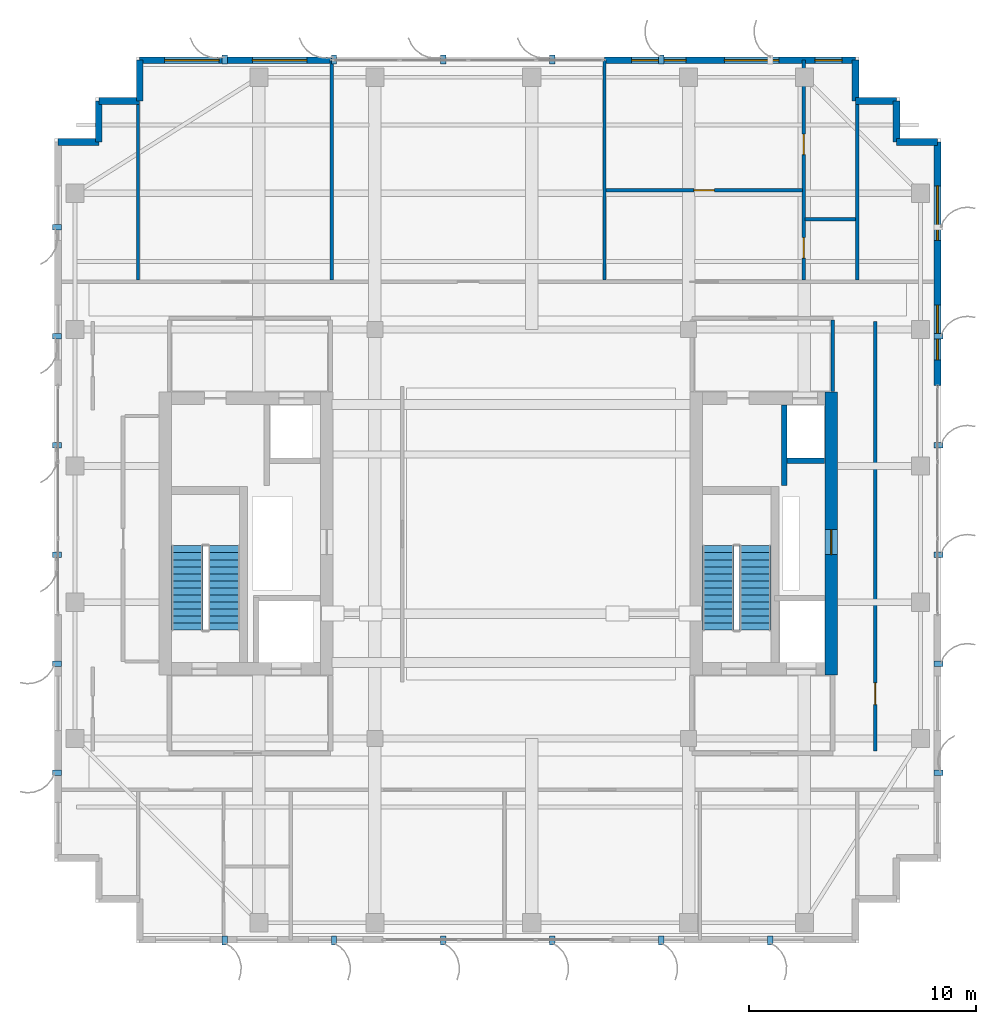
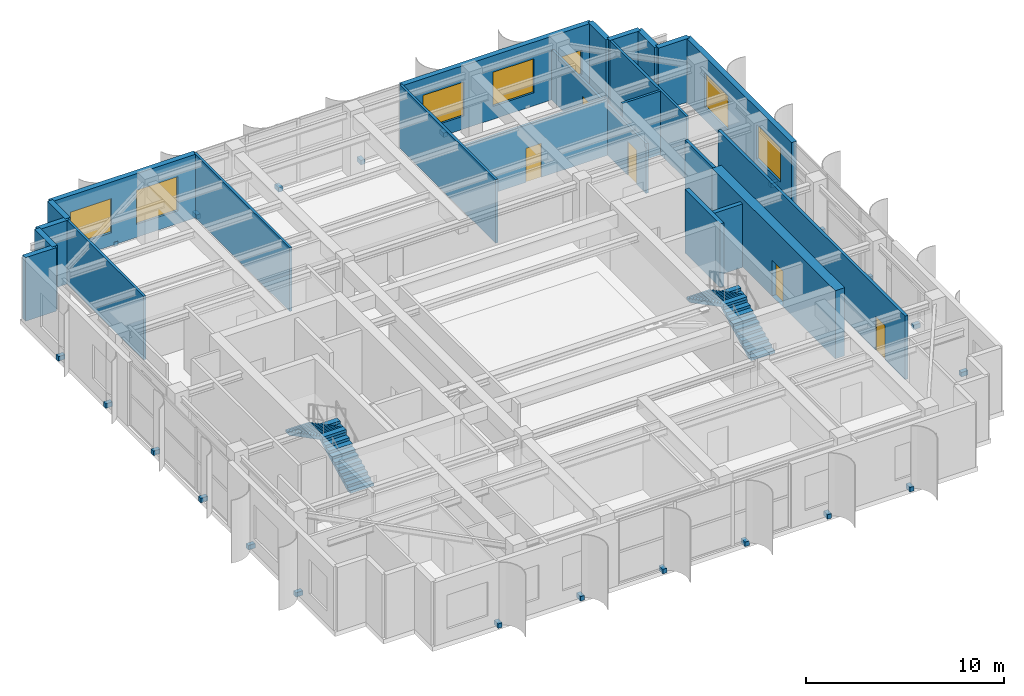
# One storey, part 22 of 26: 23 walls, 22 discrete accessories, 7 windows, 5 doors, 4 stair flights, 12 openings, 2 elements without a shape of their own.
"""IFC4 building model written with IfcOpenShell, lengths in metres."""

import ifcopenshell
import ifcopenshell.guid

model = None  # the IFC model being written
_history = None  # IfcOwnerHistory: only IFC2X3 demands one
_inside = {}  # id of a spatial element -> (the spatial element, [elements in it])
_under = {}  # id of a project, library or spatial element -> (it, [spatial elements below it])
_declared = {}  # id of a project -> (the project, [libraries it declares])
_typed = {}  # id of a type object -> (the type object, [elements of that type])
_made_of = {}  # id of a material, layer set ... -> (it, [elements and type objects made of it])


def new_model(schema):
    """Start an empty IFC model of exactly this schema.

    Asked for "IFC4X3", IfcOpenShell would pick the latest addendum, in which some entities
    have other attributes; the version numbers below select the first issue.
    IFC2X3 requires an IfcOwnerHistory on every rooted entity: one is made here for all.
    """
    global model, _history
    if schema == "IFC4X3":
        model = ifcopenshell.file(schema_version=(4, 3, 0, 0))
    else:
        model = ifcopenshell.file(schema=schema)
    _inside.clear()
    _under.clear()
    _declared.clear()
    _typed.clear()
    _made_of.clear()
    _history = None
    if model.schema == "IFC2X3":
        org = make("IfcOrganization", Name="unknown")
        user = make(
            "IfcPersonAndOrganization",
            ThePerson=make("IfcPerson", FamilyName="unknown"),
            TheOrganization=org,
        )
        app = make(
            "IfcApplication",
            ApplicationDeveloper=org,
            Version="unknown",
            ApplicationFullName="unknown",
            ApplicationIdentifier="unknown",
        )
        _history = make(
            "IfcOwnerHistory",
            OwningUser=user,
            OwningApplication=app,
            ChangeAction="ADDED",
            CreationDate=0,
        )
    return model


def make(cls, **values):
    """One entity of the class cls with the attributes given. An attribute that is None is left unset."""
    return model.create_entity(
        cls, **{name: value for name, value in values.items() if value is not None}
    )


def rooted(cls, **values):
    """An entity with a GlobalId (a new one), such as an element, a storey or a relation."""
    return make(cls, GlobalId=ifcopenshell.guid.new(), OwnerHistory=_history, **values)


def si_unit(unit_type, name, prefix=None):
    """IfcSIUnit, for example si_unit("LENGTHUNIT", "METRE", prefix="MILLI")."""
    return make("IfcSIUnit", UnitType=unit_type, Prefix=prefix, Name=name)


def assignment(units):
    """IfcUnitAssignment: the units of a project."""
    return None if units is None else make("IfcUnitAssignment", Units=units)


def point(xyz):
    """IfcCartesianPoint."""
    return None if xyz is None else make("IfcCartesianPoint", Coordinates=xyz)


def direction(xyz):
    """IfcDirection."""
    return None if xyz is None else make("IfcDirection", DirectionRatios=xyz)


def frame(location, z_axis=None, x_axis=None):
    """IfcAxis2Placement3D, a coordinate frame: its origin and axes. An axis left out is left unset."""
    return make(
        "IfcAxis2Placement3D",
        Location=point(location),
        Axis=direction(z_axis),
        RefDirection=direction(x_axis),
    )


def frame_2d(location, x_axis=None):
    """IfcAxis2Placement2D, a coordinate frame in the plane: its origin and x axis."""
    return make(
        "IfcAxis2Placement2D", Location=point(location), RefDirection=direction(x_axis)
    )


def origin():
    """The frame at (0, 0, 0) with its axes left unset."""
    return frame((0.0, 0.0, 0.0))


def origin_2d():
    """The frame at (0, 0) in the plane with its x axis left unset."""
    return frame_2d((0.0, 0.0))


def place(relative_to, where):
    """IfcLocalPlacement: puts the frame where relative to a parent placement (None: the world)."""
    return make(
        "IfcLocalPlacement", PlacementRelTo=relative_to, RelativePlacement=where
    )


def context(
    kind, dimensions, precision=None, world=None, true_north=None, identifier=None
):
    """IfcGeometricRepresentationContext, for example the 3D "Model" context."""
    return make(
        "IfcGeometricRepresentationContext",
        ContextIdentifier=identifier,
        ContextType=kind,
        CoordinateSpaceDimension=dimensions,
        Precision=precision,
        WorldCoordinateSystem=world,
        TrueNorth=true_north,
    )


def subcontext(parent, identifier, kind, view, scale=None):
    """IfcGeometricRepresentationSubContext, for example "Body" below "Model"."""
    return make(
        "IfcGeometricRepresentationSubContext",
        ContextIdentifier=identifier,
        ContextType=kind,
        ParentContext=parent,
        TargetScale=scale,
        TargetView=view,
    )


def project(units=None, contexts=None):
    """IfcProject with its units and contexts."""
    return rooted(
        "IfcProject",
        Name="project",
        RepresentationContexts=contexts,
        UnitsInContext=assignment(units),
    )


def spatial(cls, under=None, at=None, **own):
    """A site, building, storey or space (cls), placed at a placement, below another one or the project."""
    s = rooted(cls, ObjectPlacement=at, **own)
    if under is not None:
        _under.setdefault(under.id(), (under, []))[1].append(s)
    return s


def polyline(points):
    """IfcPolyline through the points."""
    return make("IfcPolyline", Points=[point(p) for p in points])


def profile(cls, at=None, kind="AREA", **sizes):
    """A parametric profile (cls). Its sizes go by their IFC names, for example OverallWidth=200.0."""
    return make(cls, ProfileType=kind, Position=at, **sizes)


def rectangle(**sizes):
    """IfcRectangleProfileDef."""
    return profile("IfcRectangleProfileDef", **sizes)


def outline(outer, holes=None, kind="AREA"):
    """IfcArbitraryClosedProfileDef: a profile drawn as a closed curve; with holes, ...WithVoids."""
    if holes is None:
        return make("IfcArbitraryClosedProfileDef", ProfileType=kind, OuterCurve=outer)
    return make(
        "IfcArbitraryProfileDefWithVoids",
        ProfileType=kind,
        OuterCurve=outer,
        InnerCurves=holes,
    )


def extrude(swept, where, along, depth):
    """IfcExtrudedAreaSolid: the profile swept, set in the frame where, extruded along a direction by depth."""
    return make(
        "IfcExtrudedAreaSolid",
        SweptArea=swept,
        Position=where,
        ExtrudedDirection=direction(along),
        Depth=depth,
    )


def shape(context_of_items, identifier, shape_type, items):
    """IfcShapeRepresentation: the items that make up one representation, for example the "Body"."""
    return make(
        "IfcShapeRepresentation",
        ContextOfItems=context_of_items,
        RepresentationIdentifier=identifier,
        RepresentationType=shape_type,
        Items=items,
    )


def source(mapping_origin, context_of_items, identifier, shape_type, items):
    """IfcRepresentationMap: a shape defined once, which mapped items show again and again."""
    return make(
        "IfcRepresentationMap",
        MappingOrigin=mapping_origin,
        MappedRepresentation=shape(context_of_items, identifier, shape_type, items),
    )


def transform(
    local_origin,
    x_axis=None,
    y_axis=None,
    z_axis=None,
    scale=None,
    scale2=None,
    scale3=None,
    uniform=True,
):
    """IfcCartesianTransformationOperator3D, or its non-uniform kind. x_axis, y_axis, z_axis: its Axis1, 2, 3."""
    if uniform:
        return make(
            "IfcCartesianTransformationOperator3D",
            Axis1=direction(x_axis),
            Axis2=direction(y_axis),
            LocalOrigin=point(local_origin),
            Scale=scale,
            Axis3=direction(z_axis),
        )
    return make(
        "IfcCartesianTransformationOperator3DnonUniform",
        Axis1=direction(x_axis),
        Axis2=direction(y_axis),
        LocalOrigin=point(local_origin),
        Scale=scale,
        Axis3=direction(z_axis),
        Scale2=scale2,
        Scale3=scale3,
    )


def mapped(mapping_source, mapping_target):
    """IfcMappedItem: shows the shape of a source again, moved by a transform."""
    return make(
        "IfcMappedItem", MappingSource=mapping_source, MappingTarget=mapping_target
    )


def material(Name=None, Category=None):
    """IfcMaterial."""
    return make("IfcMaterial", Name=Name, Category=Category)


def layer(
    of_material, thickness, ventilated=None, Name=None, Category=None, Priority=None
):
    """IfcMaterialLayer: one layer of a wall or slab, of a material (None: an air gap)."""
    return make(
        "IfcMaterialLayer",
        Material=of_material,
        LayerThickness=thickness,
        IsVentilated=ventilated,
        Name=Name,
        Category=Category,
        Priority=Priority,
    )


def layer_set(layers, Name=None):
    """IfcMaterialLayerSet."""
    return make("IfcMaterialLayerSet", MaterialLayers=layers, LayerSetName=Name)


def made_of(thing, what):
    """Note that an element or type object is made of a material, layer set ...; save() writes the relation."""
    if what is not None:
        _made_of.setdefault(what.id(), (what, []))[1].append(thing)
    return thing


def type_object(cls, material=None, **own):
    """A type object (cls), such as IfcWallType, which elements share."""
    return made_of(rooted(cls, **own), material)


def element(
    cls,
    number,
    at=None,
    inside=None,
    cuts=None,
    type_object=None,
    material=None,
    context=None,
    identifier="Body",
    shape_type=None,
    held_by="IfcProductDefinitionShape",
    body=None,
    shapes=None,
    **own,
):
    """One element of the class cls, such as IfcWall. Its Tag is "e" and its number.

    at: its placement. inside: the storey or other place that contains it. cuts: it is an
    opening in that element (IfcRelVoidsElement). A single representation is given by context,
    identifier, shape_type and body (its items); several are given by shapes. held_by: the class
    of the entity that holds the representations. save() writes the other relations.
    """
    e = rooted(cls, Tag="e%d" % number, ObjectPlacement=at, **own)
    if body is not None:
        shapes = [shape(context, identifier, shape_type, body)]
    if shapes is not None:
        e.Representation = make(held_by, Representations=shapes)
    if inside is not None:
        _inside.setdefault(inside.id(), (inside, []))[1].append(e)
    if cuts is not None:
        rooted(
            "IfcRelVoidsElement", RelatingBuildingElement=cuts, RelatedOpeningElement=e
        )
    if type_object is not None:
        _typed.setdefault(type_object.id(), (type_object, []))[1].append(e)
    return made_of(e, material)


def fill(opening, filler):
    """IfcRelFillsElement: the door or window that sits in an opening."""
    return rooted(
        "IfcRelFillsElement",
        RelatingOpeningElement=opening,
        RelatedBuildingElement=filler,
    )


def aggregate(whole, parts):
    """IfcRelAggregates: a whole, such as a stair, and the parts it consists of."""
    return rooted("IfcRelAggregates", RelatingObject=whole, RelatedObjects=parts)


def save(model, path):
    """Write the relations noted so far, then the file.

    IfcRelAggregates (storeys below a building ...), IfcRelContainedInSpatialStructure (elements
    in a storey), IfcRelDefinesByType, IfcRelAssociatesMaterial and IfcRelDeclares: one each for
    every whole, place, type object, material and project.
    """
    for whole, parts in _under.values():
        aggregate(whole, parts)
    for where, things in _inside.values():
        rooted(
            "IfcRelContainedInSpatialStructure",
            RelatedElements=things,
            RelatingStructure=where,
        )
    for kind, things in _typed.values():
        rooted("IfcRelDefinesByType", RelatedObjects=things, RelatingType=kind)
    for what, things in _made_of.values():
        rooted("IfcRelAssociatesMaterial", RelatedObjects=things, RelatingMaterial=what)
    for by, libraries in _declared.values():
        rooted("IfcRelDeclares", RelatingContext=by, RelatedDefinitions=libraries)
    model.write(path)


model = new_model("IFC4")

# Units and contexts
model_context = context("Model", 3, precision=1e-05, world=origin(), true_north=direction((0.0, 1.0)))
body_context = subcontext(model_context, "Body", "Model", "MODEL_VIEW")
ifc_project = project(units=[si_unit("LENGTHUNIT", "METRE"), si_unit("AREAUNIT", "SQUARE_METRE"), si_unit("VOLUMEUNIT", "CUBIC_METRE"), si_unit("PLANEANGLEUNIT", "RADIAN"), si_unit("MASSUNIT", "GRAM", prefix="KILO")], contexts=[model_context])

# Site, building, storey
site_placement = place(None, origin())
site = spatial("IfcSite", under=ifc_project, at=site_placement, CompositionType="ELEMENT")
building_placement = place(site_placement, origin())
building = spatial("IfcBuilding", under=site, at=building_placement, Name="Khoralis Quay Care Tower", CompositionType="ELEMENT")
storey_placement = place(building_placement, frame((0.0, 0.0, 289.5)))
storey = spatial("IfcBuildingStorey", under=building, at=storey_placement, Name="L76", CompositionType="ELEMENT", Elevation=289.5)

# Wall, opening, door
ifc_material_1 = material(Name="Concrete C65/80", Category="concrete")
ifc_layer_1 = layer(ifc_material_1, 0.550048828125)
ifc_layer_set_1 = layer_set([ifc_layer_1], Name="Concrete C65/80")
wall_type_1 = type_object("IfcWallType", Name="WL-CORE-550", PredefinedType="SHEAR", material=ifc_layer_set_1)
wall_1_placement = place(storey_placement, frame((37.175048828125, 14.800048828125, 0.0), z_axis=(0.0, 0.0, 1.0), x_axis=(0.0, 1.0, 0.0)))
wall_1 = element("IfcWall", 1, at=wall_1_placement, inside=storey, type_object=wall_type_1, Name="L76 ECORE East Shear Wall", PredefinedType="SHEAR", context=body_context, shape_type="SweptSolid", body=[
    extrude(rectangle(XDim=12.449951171875, YDim=0.550048828125, at=frame_2d((6.22509765625, 0.0))), origin(), (0.0, 0.0, 1.0), 4.199951171875),
])
opening_1_placement = place(wall_1_placement, frame((5.300048828125, 0.0, 0.0)))
opening_1 = element("IfcOpeningElement", 2, at=opening_1_placement, cuts=wall_1, Name="Opening SD1", PredefinedType="OPENING", context=body_context, shape_type="SweptSolid", body=[
    extrude(rectangle(XDim=1.10009765625, YDim=2.199951171875, at=frame_2d((0.550048828125, 1.10009765625))), frame((0.0, 0.28515625, 0.0), z_axis=(0.0, -1.0, 0.0), x_axis=(1.0, 0.0, 0.0)), (0.0, 0.0, 1.0), 0.570068359375),
])
ifc_material_2 = material(Name="Fire-rated painted steel", Category="steel")
door_type_1 = type_object("IfcDoorType", Name="DR-STAIR-1100X2200", OperationType="NOTDEFINED", PredefinedType="DOOR", material=ifc_material_2)
shared_shape_1 = source(origin(), body_context, "Body", "SweptSolid", [
    extrude(rectangle(XDim=1.10009765625, YDim=2.199951171875, at=frame_2d((0.550048828125, 1.10009765625))), frame((0.0, 0.02490234375, 0.0), z_axis=(0.0, -1.0, 0.0), x_axis=(1.0, 0.0, 0.0)), (0.0, 0.0, 1.0), 0.050048828125),
])
door_1_placement = place(opening_1_placement, frame((1.10009765625, 0.0, 0.0), z_axis=(0.0, 0.0, 1.0), x_axis=(-1.0, 0.0, 0.0)))
door_1 = element("IfcDoor", 3, at=door_1_placement, inside=storey, type_object=door_type_1, Name="L76 East MEP Riser Door", OperationType="SINGLE_SWING_LEFT", OverallHeight=2.199951171875, OverallWidth=1.10009765625, PredefinedType="DOOR", context=body_context, shape_type="MappedRepresentation", body=[
    mapped(shared_shape_1, transform((0.0, 0.0, 0.0), scale=1.0)),
])
fill(opening_1, door_1)

# Wall
ifc_material_3 = material(Name="Gypsum plasterboard on acoustic metal stud")
ifc_layer_2 = layer(ifc_material_3, 0.1650390625)
ifc_layer_set_2 = layer_set([ifc_layer_2], Name="Gypsum plasterboard on acoustic metal stud")
wall_type_2 = type_object("IfcWallType", Name="WL-CORR-165", PredefinedType="PARTITIONING", material=ifc_layer_set_2)
wall_2_placement = place(storey_placement, frame((37.25, 27.27001953125, 0.0), z_axis=(0.0, 0.0, 1.0), x_axis=(0.0, 1.0, 0.0)))
element("IfcWall", 4, at=wall_2_placement, inside=storey, type_object=wall_type_2, Name="L76 East Lift Lobby East Wall", PredefinedType="PARTITIONING", context=body_context, shape_type="SweptSolid", body=[
    extrude(rectangle(XDim=3.152587890625, YDim=0.1650390625, at=frame_2d((1.576171875, 0.0))), origin(), (0.0, 0.0, 1.0), 3.919921875),
])

# Wall, opening, door
wall_3_placement = place(storey_placement, frame((39.1201171875, 11.449951171875, 0.0), z_axis=(0.0, 0.0, 1.0), x_axis=(0.0, 1.0, 0.0)))
wall_3 = element("IfcWall", 5, at=wall_3_placement, inside=storey, type_object=wall_type_2, Name="L76 East Sky Clinic Wall", PredefinedType="PARTITIONING", context=body_context, shape_type="SweptSolid", body=[
    extrude(rectangle(XDim=18.900146484375, YDim=0.1650390625, at=frame_2d((9.4501953125, 0.0))), origin(), (0.0, 0.0, 1.0), 3.919921875),
])
opening_2_placement = place(wall_3_placement, frame((2.050048828125, 0.0, 0.0)))
opening_2 = element("IfcOpeningElement", 6, at=opening_2_placement, cuts=wall_3, Name="Opening ID1", PredefinedType="OPENING", context=body_context, shape_type="SweptSolid", body=[
    extrude(rectangle(XDim=0.949951171875, YDim=2.10009765625, at=frame_2d((0.47509765625, 1.050048828125))), frame((0.0, 0.092529296875, 0.0), z_axis=(0.0, -1.0, 0.0), x_axis=(1.0, 0.0, 0.0)), (0.0, 0.0, 1.0), 0.18505859375),
])
ifc_material_4 = material(Name="Acoustic hardwood timber", Category="wood")
door_type_2 = type_object("IfcDoorType", Name="DR-ROOM-950X2100", OperationType="NOTDEFINED", PredefinedType="DOOR", material=ifc_material_4)
shared_shape_2 = source(origin(), body_context, "Body", "SweptSolid", [
    extrude(rectangle(XDim=0.949951171875, YDim=2.10009765625, at=frame_2d((0.47509765625, 1.050048828125))), frame((0.0, 0.02490234375, 0.0), z_axis=(0.0, -1.0, 0.0), x_axis=(1.0, 0.0, 0.0)), (0.0, 0.0, 1.0), 0.050048828125),
])
door_2_placement = place(opening_2_placement, origin())
door_2 = element("IfcDoor", 7, at=door_2_placement, inside=storey, type_object=door_type_2, Name="L76 East Sky Clinic Door", OperationType="SINGLE_SWING_RIGHT", OverallHeight=2.10009765625, OverallWidth=0.949951171875, PredefinedType="DOOR", context=body_context, shape_type="MappedRepresentation", body=[
    mapped(shared_shape_2, transform((0.0, 0.0, 0.0), scale=1.0)),
])
fill(opening_2, door_2)

# Wall, openings, windows
ifc_material_5 = material(Name="Precast concrete C45/55", Category="concrete")
ifc_layer_3 = layer(ifc_material_5, 0.300048828125)
ifc_layer_set_3 = layer_set([ifc_layer_3], Name="Precast concrete C45/55")
wall_type_3 = type_object("IfcWallType", Name="WL-EXT-REF-300", PredefinedType="SOLIDWALL", material=ifc_layer_set_3)
wall_4_placement = place(storey_placement, frame((41.85009765625, 27.5400390625, 0.0), z_axis=(0.0, 0.0, 1.0), x_axis=(0.0, 1.0, 0.0)))
wall_4 = element("IfcWall", 8, at=wall_4_placement, inside=storey, type_object=wall_type_3, Name="L76 External Facade Wall WL-EXT-L76-P1-E5B", PredefinedType="SOLIDWALL", context=body_context, shape_type="SweptSolid", body=[
    extrude(rectangle(XDim=10.7099609375, YDim=0.300048828125, at=frame_2d((5.35498046875, 0.0))), origin(), (0.0, 0.0, 1.0), 3.919921875),
])
opening_3_placement = place(wall_4_placement, frame((1.1298828125, 0.0, 0.800048828125)))
opening_3 = element("IfcOpeningElement", 9, at=opening_3_placement, cuts=wall_4, Name="Opening W1", PredefinedType="OPENING", context=body_context, shape_type="SweptSolid", body=[
    extrude(rectangle(XDim=2.39990234375, YDim=2.10009765625, at=frame_2d((1.199951171875, 1.050048828125))), frame((0.0, 0.16015625, 0.0), z_axis=(0.0, -1.0, 0.0), x_axis=(1.0, 0.0, 0.0)), (0.0, 0.0, 1.0), 0.320068359375),
])
opening_4_placement = place(wall_4_placement, frame((6.385009765625, 0.0, 0.800048828125)))
opening_4 = element("IfcOpeningElement", 10, at=opening_4_placement, cuts=wall_4, Name="Opening W1", PredefinedType="OPENING", context=body_context, shape_type="SweptSolid", body=[
    extrude(rectangle(XDim=2.39990234375, YDim=2.10009765625, at=frame_2d((1.199951171875, 1.050048828125))), frame((0.0, 0.16015625, 0.0), z_axis=(0.0, -1.0, 0.0), x_axis=(1.0, 0.0, 0.0)), (0.0, 0.0, 1.0), 0.320068359375),
])
ifc_material_6 = material(Name="Low-E solar-control double glazing", Category="glass")
window_type_1 = type_object("IfcWindowType", Name="WN-POD-2400X2100", PartitioningType="SINGLE_PANEL", PredefinedType="WINDOW", material=ifc_material_6)
shared_shape_3 = source(origin(), body_context, "Body", "SweptSolid", [
    extrude(rectangle(XDim=2.39990234375, YDim=2.10009765625, at=frame_2d((1.199951171875, 1.050048828125))), frame((0.0, 0.030029296875, 0.0), z_axis=(0.0, -1.0, 0.0), x_axis=(1.0, 0.0, 0.0)), (0.0, 0.0, 1.0), 0.06005859375),
])
window_1_placement = place(opening_3_placement, origin())
window_1 = element("IfcWindow", 11, at=window_1_placement, inside=storey, type_object=window_type_1, Name="WN-L76-P1-E5B Facade Window 01", OverallHeight=2.10009765625, OverallWidth=2.39990234375, PartitioningType="SINGLE_PANEL", PredefinedType="WINDOW", context=body_context, shape_type="MappedRepresentation", body=[
    mapped(shared_shape_3, transform((0.0, 0.0, 0.0), scale=1.0)),
])
fill(opening_3, window_1)
window_2_placement = place(opening_4_placement, origin())
window_2 = element("IfcWindow", 12, at=window_2_placement, inside=storey, type_object=window_type_1, Name="WN-L76-P1-E5B Facade Window 02", OverallHeight=2.10009765625, OverallWidth=2.39990234375, PartitioningType="SINGLE_PANEL", PredefinedType="WINDOW", context=body_context, shape_type="MappedRepresentation", body=[
    mapped(shared_shape_3, transform((0.0, 0.0, 0.0), scale=1.0)),
])
fill(opening_4, window_2)

# Walls
for number, where, z_axis, x_axis, name in (
    (13, (41.85009765625, 38.25, 0.0), (0.0, 0.0, 1.0), (-1.0, 0.0, 0.0), "L76 External Facade Wall WL-EXT-L76-P1-C6"),
    (14, (40.050048828125, 38.25, 0.0), (0.0, 0.0, 1.0), (0.0, 1.0, 0.0), "L76 External Facade Wall WL-EXT-L76-P1-C7"),
    (15, (40.050048828125, 40.050048828125, 0.0), (0.0, 0.0, 1.0), (-1.0, 0.0, 0.0), "L76 External Facade Wall WL-EXT-L76-P1-C8"),
    (16, (38.25, 40.050048828125, 0.0), (0.0, 0.0, 1.0), (0.0, 1.0, 0.0), "L76 External Facade Wall WL-EXT-L76-P1-C9"),
):
    element("IfcWall", number, at=place(storey_placement, frame(where, z_axis=z_axis, x_axis=x_axis)), inside=storey, type_object=wall_type_3, Name=name, PredefinedType="SOLIDWALL", context=body_context, shape_type="SweptSolid", body=[
        extrude(rectangle(XDim=1.800048828125, YDim=0.300048828125, at=frame_2d((0.89990234375, 0.0))), origin(), (0.0, 0.0, 1.0), 3.919921875),
    ])

# Wall, openings, windows
wall_5_placement = place(storey_placement, frame((38.25, 41.85009765625, 0.0), z_axis=(0.0, 0.0, 1.0), x_axis=(-1.0, 0.0, 0.0)))
wall_5 = element("IfcWall", 17, at=wall_5_placement, inside=storey, type_object=wall_type_3, Name="L76 External Facade Wall WL-EXT-L76-P1-E10A", PredefinedType="SOLIDWALL", context=body_context, shape_type="SweptSolid", body=[
    extrude(rectangle(XDim=11.050048828125, YDim=0.300048828125, at=frame_2d((5.52490234375, 0.0))), origin(), (0.0, 0.0, 1.0), 3.919921875),
])
opening_5_placement = place(wall_5_placement, frame((0.590087890625, 0.0, 0.949951171875)))
opening_5 = element("IfcOpeningElement", 18, at=opening_5_placement, cuts=wall_5, Name="Opening W6", PredefinedType="OPENING", context=body_context, shape_type="SweptSolid", body=[
    extrude(rectangle(XDim=1.199951171875, YDim=1.5, at=frame_2d((0.60009765625, 0.75))), frame((0.0, 0.16015625, 0.0), z_axis=(0.0, -1.0, 0.0), x_axis=(1.0, 0.0, 0.0)), (0.0, 0.0, 1.0), 0.320068359375),
])
opening_6_placement = place(wall_5_placement, frame((3.37744140625, 0.0, 0.800048828125)))
opening_6 = element("IfcOpeningElement", 19, at=opening_6_placement, cuts=wall_5, Name="Opening W1", PredefinedType="OPENING", context=body_context, shape_type="SweptSolid", body=[
    extrude(rectangle(XDim=2.39990234375, YDim=2.10009765625, at=frame_2d((1.199951171875, 1.050048828125))), frame((0.0, 0.16015625, 0.0), z_axis=(0.0, -1.0, 0.0), x_axis=(1.0, 0.0, 0.0)), (0.0, 0.0, 1.0), 0.320068359375),
])
opening_7_placement = place(wall_5_placement, frame((7.452392578125, 0.0, 0.800048828125)))
opening_7 = element("IfcOpeningElement", 20, at=opening_7_placement, cuts=wall_5, Name="Opening W1", PredefinedType="OPENING", context=body_context, shape_type="SweptSolid", body=[
    extrude(rectangle(XDim=2.39990234375, YDim=2.10009765625, at=frame_2d((1.199951171875, 1.050048828125))), frame((0.0, 0.16015625, 0.0), z_axis=(0.0, -1.0, 0.0), x_axis=(1.0, 0.0, 0.0)), (0.0, 0.0, 1.0), 0.320068359375),
])
window_3_placement = place(opening_6_placement, origin())
window_3 = element("IfcWindow", 21, at=window_3_placement, inside=storey, type_object=window_type_1, Name="WN-L76-P1-E10A Facade Window 02", OverallHeight=2.10009765625, OverallWidth=2.39990234375, PartitioningType="SINGLE_PANEL", PredefinedType="WINDOW", context=body_context, shape_type="MappedRepresentation", body=[
    mapped(shared_shape_3, transform((0.0, 0.0, 0.0), scale=1.0)),
])
fill(opening_6, window_3)
window_4_placement = place(opening_7_placement, origin())
window_4 = element("IfcWindow", 22, at=window_4_placement, inside=storey, type_object=window_type_1, Name="WN-L76-P1-E10A Facade Window 03", OverallHeight=2.10009765625, OverallWidth=2.39990234375, PartitioningType="SINGLE_PANEL", PredefinedType="WINDOW", context=body_context, shape_type="MappedRepresentation", body=[
    mapped(shared_shape_3, transform((0.0, 0.0, 0.0), scale=1.0)),
])
fill(opening_7, window_4)
window_type_2 = type_object("IfcWindowType", Name="WN-SCH-1200X1500", PartitioningType="SINGLE_PANEL", PredefinedType="WINDOW", material=ifc_material_6)
shared_shape_4 = source(origin(), body_context, "Body", "SweptSolid", [
    extrude(rectangle(XDim=1.199951171875, YDim=1.5, at=frame_2d((0.60009765625, 0.75))), frame((0.0, 0.030029296875, 0.0), z_axis=(0.0, -1.0, 0.0), x_axis=(1.0, 0.0, 0.0)), (0.0, 0.0, 1.0), 0.06005859375),
])
window_5_placement = place(opening_5_placement, origin())
window_5 = element("IfcWindow", 23, at=window_5_placement, inside=storey, type_object=window_type_2, Name="WN-L76-P1-E10A Facade Window 01", OverallHeight=1.5, OverallWidth=1.199951171875, PartitioningType="SINGLE_PANEL", PredefinedType="WINDOW", context=body_context, shape_type="MappedRepresentation", body=[
    mapped(shared_shape_4, transform((0.0, 0.0, 0.0), scale=1.0)),
])
fill(opening_5, window_5)

wall_6_placement = place(storey_placement, frame((15.199951171875, 41.85009765625, 0.0), z_axis=(0.0, 0.0, 1.0), x_axis=(-1.0, 0.0, 0.0)))
wall_6 = element("IfcWall", 24, at=wall_6_placement, inside=storey, type_object=wall_type_3, Name="L76 External Facade Wall WL-EXT-L76-P1-E10B", PredefinedType="SOLIDWALL", context=body_context, shape_type="SweptSolid", body=[
    extrude(rectangle(XDim=8.449951171875, YDim=0.300048828125, at=frame_2d((4.22509765625, 0.0))), origin(), (0.0, 0.0, 1.0), 3.919921875),
])
opening_8_placement = place(wall_6_placement, frame((1.092529296875, 0.0, 0.800048828125)))
opening_8 = element("IfcOpeningElement", 25, at=opening_8_placement, cuts=wall_6, Name="Opening W1", PredefinedType="OPENING", context=body_context, shape_type="SweptSolid", body=[
    extrude(rectangle(XDim=2.39990234375, YDim=2.10009765625, at=frame_2d((1.199951171875, 1.050048828125))), frame((0.0, 0.16015625, 0.0), z_axis=(0.0, -1.0, 0.0), x_axis=(1.0, 0.0, 0.0)), (0.0, 0.0, 1.0), 0.320068359375),
])
opening_9_placement = place(wall_6_placement, frame((4.95751953125, 0.0, 0.800048828125)))
opening_9 = element("IfcOpeningElement", 26, at=opening_9_placement, cuts=wall_6, Name="Opening W1", PredefinedType="OPENING", context=body_context, shape_type="SweptSolid", body=[
    extrude(rectangle(XDim=2.39990234375, YDim=2.10009765625, at=frame_2d((1.199951171875, 1.050048828125))), frame((0.0, 0.16015625, 0.0), z_axis=(0.0, -1.0, 0.0), x_axis=(1.0, 0.0, 0.0)), (0.0, 0.0, 1.0), 0.320068359375),
])
window_6_placement = place(opening_8_placement, origin())
window_6 = element("IfcWindow", 27, at=window_6_placement, inside=storey, type_object=window_type_1, Name="WN-L76-P1-E10B Facade Window 01", OverallHeight=2.10009765625, OverallWidth=2.39990234375, PartitioningType="SINGLE_PANEL", PredefinedType="WINDOW", context=body_context, shape_type="MappedRepresentation", body=[
    mapped(shared_shape_3, transform((0.0, 0.0, 0.0), scale=1.0)),
])
fill(opening_8, window_6)
window_7_placement = place(opening_9_placement, origin())
window_7 = element("IfcWindow", 28, at=window_7_placement, inside=storey, type_object=window_type_1, Name="WN-L76-P1-E10B Facade Window 02", OverallHeight=2.10009765625, OverallWidth=2.39990234375, PartitioningType="SINGLE_PANEL", PredefinedType="WINDOW", context=body_context, shape_type="MappedRepresentation", body=[
    mapped(shared_shape_3, transform((0.0, 0.0, 0.0), scale=1.0)),
])
fill(opening_9, window_7)

# Walls
for number, where, z_axis, x_axis, name in (
    (29, (6.75, 41.85009765625, 0.0), (0.0, 0.0, 1.0), (0.0, -1.0, 0.0), "L76 External Facade Wall WL-EXT-L76-P1-C11"),
    (30, (6.75, 40.050048828125, 0.0), (0.0, 0.0, 1.0), (-1.0, 0.0, 0.0), "L76 External Facade Wall WL-EXT-L76-P1-C12"),
    (31, (4.949951171875, 40.050048828125, 0.0), (0.0, 0.0, 1.0), (0.0, -1.0, 0.0), "L76 External Facade Wall WL-EXT-L76-P1-C13"),
    (32, (4.949951171875, 38.25, 0.0), (0.0, 0.0, 1.0), (-1.0, 0.0, 0.0), "L76 External Facade Wall WL-EXT-L76-P1-C14"),
):
    element("IfcWall", number, at=place(storey_placement, frame(where, z_axis=z_axis, x_axis=x_axis)), inside=storey, type_object=wall_type_3, Name=name, PredefinedType="SOLIDWALL", context=body_context, shape_type="SweptSolid", body=[
        extrude(rectangle(XDim=1.800048828125, YDim=0.300048828125, at=frame_2d((0.89990234375, 0.0))), origin(), (0.0, 0.0, 1.0), 3.919921875),
    ])

# Wall, openings, doors
ifc_material_7 = material(Name="Moisture-resistant gypsum and ceramic tile")
ifc_layer_4 = layer(ifc_material_7, 0.280029296875)
ifc_layer_set_4 = layer_set([ifc_layer_4], Name="Moisture-resistant gypsum and ceramic tile")
wall_type_4 = type_object("IfcWallType", Name="WL-PLUMB-280", PredefinedType="PLUMBINGWALL", material=ifc_layer_set_4)
wall_7_placement = place(storey_placement, frame((35.969970703125, 32.177490234375, 0.0), z_axis=(0.0, 0.0, 1.0), x_axis=(0.0, 1.0, 0.0)))
wall_7 = element("IfcWall", 33, at=wall_7_placement, inside=storey, type_object=wall_type_4, Name="L76 Care Suite 2 En-Suite Wall V", PredefinedType="PLUMBINGWALL", context=body_context, shape_type="SweptSolid", body=[
    extrude(rectangle(XDim=9.677490234375, YDim=0.139892578125, at=frame_2d((4.8388671875, 0.0))), origin(), (0.0, 0.0, 1.0), 3.070068359375),
])
opening_10_placement = place(wall_7_placement, frame((0.96240234375, 0.0, 0.0)))
opening_10 = element("IfcOpeningElement", 34, at=opening_10_placement, cuts=wall_7, Name="Opening WD1", PredefinedType="OPENING", context=body_context, shape_type="SweptSolid", body=[
    extrude(rectangle(XDim=0.89990234375, YDim=2.10009765625, at=frame_2d((0.449951171875, 1.050048828125))), frame((0.0, 0.080078125, 0.0), z_axis=(0.0, -1.0, 0.0), x_axis=(1.0, 0.0, 0.0)), (0.0, 0.0, 1.0), 0.159912109375),
])
opening_11_placement = place(wall_7_placement, frame((5.5224609375, 0.0, 0.0)))
opening_11 = element("IfcOpeningElement", 35, at=opening_11_placement, cuts=wall_7, Name="Opening WD1", PredefinedType="OPENING", context=body_context, shape_type="SweptSolid", body=[
    extrude(rectangle(XDim=0.89990234375, YDim=2.10009765625, at=frame_2d((0.449951171875, 1.050048828125))), frame((0.0, 0.080078125, 0.0), z_axis=(0.0, -1.0, 0.0), x_axis=(1.0, 0.0, 0.0)), (0.0, 0.0, 1.0), 0.159912109375),
])
door_type_3 = type_object("IfcDoorType", Name="DR-BATH-900X2100", OperationType="NOTDEFINED", PredefinedType="DOOR", material=ifc_material_4)
shared_shape_5 = source(origin(), body_context, "Body", "SweptSolid", [
    extrude(rectangle(XDim=0.89990234375, YDim=2.10009765625, at=frame_2d((0.449951171875, 1.050048828125))), frame((0.0, 0.02490234375, 0.0), z_axis=(0.0, -1.0, 0.0), x_axis=(1.0, 0.0, 0.0)), (0.0, 0.0, 1.0), 0.050048828125),
])
door_3_placement = place(opening_10_placement, frame((0.89990234375, 0.0, 0.0), z_axis=(0.0, 0.0, 1.0), x_axis=(-1.0, 0.0, 0.0)))
door_3 = element("IfcDoor", 36, at=door_3_placement, inside=storey, type_object=door_type_3, Name="L76 Care CENS Door", OperationType="SINGLE_SWING_LEFT", OverallHeight=2.10009765625, OverallWidth=0.89990234375, PredefinedType="DOOR", context=body_context, shape_type="MappedRepresentation", body=[
    mapped(shared_shape_5, transform((0.0, 0.0, 0.0), scale=1.0)),
])
fill(opening_10, door_3)
door_4_placement = place(opening_11_placement, frame((0.89990234375, 0.0, 0.0), z_axis=(0.0, 0.0, 1.0), x_axis=(-1.0, 0.0, 0.0)))
door_4 = element("IfcDoor", 37, at=door_4_placement, inside=storey, type_object=door_type_3, Name="L76 Care CSIT Door", OperationType="SINGLE_SWING_RIGHT", OverallHeight=2.10009765625, OverallWidth=0.89990234375, PredefinedType="DOOR", context=body_context, shape_type="MappedRepresentation", body=[
    mapped(shared_shape_5, transform((0.0, 0.0, 0.0), scale=1.0)),
])
fill(opening_11, door_4)

# Walls
wall_8_placement = place(storey_placement, frame((36.034912109375, 34.85009765625, 0.0), z_axis=(0.0, 0.0, 1.0), x_axis=(1.0, 0.0, 0.0)))
element("IfcWall", 38, at=wall_8_placement, inside=storey, type_object=wall_type_4, Name="L76 Care Suite 2 En-Suite Wall H", PredefinedType="PLUMBINGWALL", context=body_context, shape_type="SweptSolid", body=[
    extrude(rectangle(XDim=2.219970703125, YDim=0.139892578125, at=frame_2d((1.10986328125, 0.0))), origin(), (0.0, 0.0, 1.0), 3.919921875),
])
ifc_layer_5 = layer(ifc_material_3, 0.239990234375)
ifc_layer_set_5 = layer_set([ifc_layer_5], Name="Gypsum plasterboard on acoustic metal stud")
wall_type_5 = type_object("IfcWallType", Name="WL-SHAFT-240", PredefinedType="PARTITIONING", material=ifc_layer_set_5)
wall_9_placement = place(storey_placement, frame((35.110107421875, 23.139892578125, 0.0), z_axis=(0.0, 0.0, 1.0), x_axis=(0.0, 1.0, 0.0)))
element("IfcWall", 39, at=wall_9_placement, inside=storey, type_object=wall_type_5, Name="L76 High-Rise Reclaimed Bay Wall East", PredefinedType="PARTITIONING", context=body_context, shape_type="SweptSolid", body=[
    extrude(rectangle(XDim=3.5400390625, YDim=0.239990234375, at=frame_2d((1.77001953125, 0.0))), origin(), (0.0, 0.0, 1.0), 3.919921875),
])
wall_10_placement = place(storey_placement, frame((35.22509765625, 24.22998046875, 0.0), z_axis=(0.0, 0.0, 1.0), x_axis=(1.0, 0.0, 0.0)))
element("IfcWall", 40, at=wall_10_placement, inside=storey, type_object=wall_type_5, Name="L76 High-Rise Shaft South Wall East", PredefinedType="PARTITIONING", context=body_context, shape_type="SweptSolid", body=[
    extrude(rectangle(XDim=1.65478515625, YDim=0.239990234375, at=frame_2d((0.827392578125, 0.0))), origin(), (0.0, 0.0, 1.0), 3.919921875),
])
ifc_layer_6 = layer(ifc_material_3, 0.139892578125)
ifc_layer_set_6 = layer_set([ifc_layer_6], Name="Gypsum plasterboard on acoustic metal stud")
wall_type_6 = type_object("IfcWallType", Name="WL-UNIT-140", PredefinedType="PARTITIONING", material=ifc_layer_set_6)
wall_11_placement = place(storey_placement, frame((6.679931640625, 32.177490234375, 0.0), z_axis=(0.0, 0.0, 1.0), x_axis=(0.0, 1.0, 0.0)))
element("IfcWall", 41, at=wall_11_placement, inside=storey, type_object=wall_type_6, Name="L76 NB Demising Wall 0", PredefinedType="PARTITIONING", context=body_context, shape_type="SweptSolid", body=[
    extrude(rectangle(XDim=7.87744140625, YDim=0.139892578125, at=frame_2d((3.938720703125, 0.0))), origin(), (0.0, 0.0, 1.0), 3.919921875),
])
for number, where, z_axis, x_axis, name in (
    (42, (15.199951171875, 32.177490234375, 0.0), (0.0, 0.0, 1.0), (0.0, 1.0, 0.0), "L76 NB Demising Wall 1"),
    (43, (27.199951171875, 32.177490234375, 0.0), (0.0, 0.0, 1.0), (0.0, 1.0, 0.0), "L76 NB Demising Wall 2"),
):
    element("IfcWall", number, at=place(storey_placement, frame(where, z_axis=z_axis, x_axis=x_axis)), inside=storey, type_object=wall_type_6, Name=name, PredefinedType="PARTITIONING", context=body_context, shape_type="SweptSolid", body=[
        extrude(rectangle(XDim=9.677490234375, YDim=0.139892578125, at=frame_2d((4.8388671875, 0.0))), origin(), (0.0, 0.0, 1.0), 3.919921875),
    ])
wall_12_placement = place(storey_placement, frame((38.320068359375, 32.177490234375, 0.0), z_axis=(0.0, 0.0, 1.0), x_axis=(0.0, 1.0, 0.0)))
element("IfcWall", 44, at=wall_12_placement, inside=storey, type_object=wall_type_6, Name="L76 NB Demising Wall 3", PredefinedType="PARTITIONING", context=body_context, shape_type="SweptSolid", body=[
    extrude(rectangle(XDim=7.87744140625, YDim=0.139892578125, at=frame_2d((3.938720703125, 0.0))), origin(), (0.0, 0.0, 1.0), 3.919921875),
])

# Wall, opening, door
wall_13_placement = place(storey_placement, frame((27.264892578125, 36.1298828125, 0.0), z_axis=(0.0, 0.0, 1.0), x_axis=(1.0, 0.0, 0.0)))
wall_13 = element("IfcWall", 45, at=wall_13_placement, inside=storey, type_object=wall_type_6, Name="Skilled Care Bedroom L76-NB2 Sub-Partition", PredefinedType="PARTITIONING", context=body_context, shape_type="SweptSolid", body=[
    extrude(rectangle(XDim=8.64013671875, YDim=0.139892578125, at=frame_2d((4.320068359375, 0.0))), origin(), (0.0, 0.0, 1.0), 3.52001953125),
])
opening_12_placement = place(wall_13_placement, frame((3.8701171875, 0.0, 0.0)))
opening_12 = element("IfcOpeningElement", 46, at=opening_12_placement, cuts=wall_13, Name="Opening WD1", PredefinedType="OPENING", context=body_context, shape_type="SweptSolid", body=[
    extrude(rectangle(XDim=0.89990234375, YDim=2.10009765625, at=frame_2d((0.449951171875, 1.050048828125))), frame((0.0, 0.080078125, 0.0), z_axis=(0.0, -1.0, 0.0), x_axis=(1.0, 0.0, 0.0)), (0.0, 0.0, 1.0), 0.159912109375),
])
door_5_placement = place(opening_12_placement, frame((0.89990234375, 0.0, 0.0), z_axis=(0.0, 0.0, 1.0), x_axis=(-1.0, 0.0, 0.0)))
door_5 = element("IfcDoor", 47, at=door_5_placement, inside=storey, type_object=door_type_3, Name="Private Study & Reading Alcove ARE2 Door", OperationType="SINGLE_SWING_LEFT", OverallHeight=2.10009765625, OverallWidth=0.89990234375, PredefinedType="DOOR", context=body_context, shape_type="MappedRepresentation", body=[
    mapped(shared_shape_5, transform((0.0, 0.0, 0.0), scale=1.0)),
])
fill(opening_12, door_5)

# Stair, stair flights
stair_type = type_object("IfcStairType", Name="ST-TWR-DOGLEG-1400", PredefinedType="HALF_TURN_STAIR", material=ifc_material_5)
stair_1_placement = place(storey_placement, origin())
stair_1 = element("IfcStair", 48, at=stair_1_placement, inside=storey, type_object=stair_type, Name="L76 West Core Exit Stair ST-T1", PredefinedType="HALF_TURN_STAIR")
stair_flight_type = type_object("IfcStairFlightType", Name="SF-TWR-1400", PredefinedType="STRAIGHT", material=ifc_material_5)
shared_shape_6 = source(origin(), body_context, "Body", "SweptSolid", [
    extrude(outline(polyline([(0.0, 0.0), (0.0, 0.16162109375), (0.31005859375, 0.16162109375), (0.31005859375, 0.322998046875), (0.6201171875, 0.322998046875), (0.6201171875, 0.484619140625), (0.929931640625, 0.484619140625), (0.929931640625, 0.646240234375), (1.239990234375, 0.646240234375), (1.239990234375, 0.8076171875), (1.550048828125, 0.8076171875), (1.550048828125, 0.96923828125), (1.860107421875, 0.96923828125), (1.860107421875, 1.130859375), (2.169921875, 1.130859375), (2.169921875, 1.292236328125), (2.47998046875, 1.292236328125), (2.47998046875, 1.453857421875), (2.7900390625, 1.453857421875), (2.7900390625, 1.615478515625), (3.10009765625, 1.615478515625), (3.10009765625, 1.77685546875), (3.409912109375, 1.77685546875), (3.409912109375, 1.9384765625), (3.719970703125, 1.9384765625), (3.719970703125, 2.10009765625), (3.719970703125, 1.76953125), (0.324462890625, 0.0), (0.0, 0.0)])), frame((0.0, 0.68994140625, 0.0), z_axis=(0.0, -1.0, 0.0), x_axis=(1.0, 0.0, 0.0)), (0.0, 0.0, 1.0), 1.3798828125),
])
stair_flight_1_placement = place(storey_placement, frame((10.4599609375, 16.77001953125, 0.0), z_axis=(0.0, 0.0, 1.0), x_axis=(0.0, 1.0, 0.0)))
stair_flight_1 = element("IfcStairFlight", 49, at=stair_flight_1_placement, type_object=stair_flight_type, Name="ST-T1 flight 1", NumberOfRisers=13, NumberOfTreads=12, PredefinedType="STRAIGHT", RiserHeight=0.161538462, TreadLength=0.31, context=body_context, shape_type="MappedRepresentation", body=[
    mapped(shared_shape_6, transform((0.0, 0.0, 0.0), scale=1.0)),
])
stair_flight_2_placement = place(storey_placement, frame((8.840087890625, 20.489990234375, 2.10009765625), z_axis=(0.0, 0.0, 1.0), x_axis=(0.0, -1.0, 0.0)))
stair_flight_2 = element("IfcStairFlight", 50, at=stair_flight_2_placement, type_object=stair_flight_type, Name="ST-T1 flight 2", NumberOfRisers=13, NumberOfTreads=12, PredefinedType="STRAIGHT", RiserHeight=0.161538462, TreadLength=0.31, context=body_context, shape_type="MappedRepresentation", body=[
    mapped(shared_shape_6, transform((0.0, 0.0, 0.0), scale=1.0)),
])
aggregate(stair_1, [stair_flight_1, stair_flight_2])

stair_2_placement = place(storey_placement, origin())
stair_2 = element("IfcStair", 51, at=stair_2_placement, inside=storey, type_object=stair_type, Name="L76 East Core Exit Stair ST-T2", PredefinedType="HALF_TURN_STAIR")
stair_flight_3_placement = place(storey_placement, frame((33.830078125, 16.77001953125, 0.0), z_axis=(0.0, 0.0, 1.0), x_axis=(0.0, 1.0, 0.0)))
stair_flight_3 = element("IfcStairFlight", 52, at=stair_flight_3_placement, type_object=stair_flight_type, Name="ST-T2 flight 1", NumberOfRisers=13, NumberOfTreads=12, PredefinedType="STRAIGHT", RiserHeight=0.161538462, TreadLength=0.31, context=body_context, shape_type="MappedRepresentation", body=[
    mapped(shared_shape_6, transform((0.0, 0.0, 0.0), scale=1.0)),
])
stair_flight_4_placement = place(storey_placement, frame((32.2099609375, 20.489990234375, 2.10009765625), z_axis=(0.0, 0.0, 1.0), x_axis=(0.0, -1.0, 0.0)))
stair_flight_4 = element("IfcStairFlight", 53, at=stair_flight_4_placement, type_object=stair_flight_type, Name="ST-T2 flight 2", NumberOfRisers=13, NumberOfTreads=12, PredefinedType="STRAIGHT", RiserHeight=0.161538462, TreadLength=0.31, context=body_context, shape_type="MappedRepresentation", body=[
    mapped(shared_shape_6, transform((0.0, 0.0, 0.0), scale=1.0)),
])
aggregate(stair_2, [stair_flight_3, stair_flight_4])

# Discrete accessories
ifc_material_8 = material(Name="Brushed stainless steel", Category="steel")
discrete_accessory_type = type_object("IfcDiscreteAccessoryType", Name="ACC-FIN-BRACKET", PredefinedType="BRACKET", material=ifc_material_8)
shared_shape_7 = source(origin(), body_context, "Body", "SweptSolid", [
    extrude(rectangle(XDim=0.39990234375, YDim=0.239990234375, at=origin_2d()), origin(), (0.0, 0.0, 1.0), 0.280029296875),
])
for number, where, z_axis, x_axis, name in (
    (54, (10.5, 3.110107421875, -0.1201171875), (0.0, 0.0, 1.0), (0.0, -1.0, 0.0), "L76 Solar Fin Bracket P1E0-01"),
    (55, (15.300048828125, 3.110107421875, -0.1201171875), (0.0, 0.0, 1.0), (0.0, -1.0, 0.0), "L76 Solar Fin Bracket P1E0-02"),
    (56, (20.10009765625, 3.110107421875, -0.1201171875), (0.0, 0.0, 1.0), (0.0, -1.0, 0.0), "L76 Solar Fin Bracket P1E0-03"),
    (57, (24.89990234375, 3.110107421875, -0.1201171875), (0.0, 0.0, 1.0), (0.0, -1.0, 0.0), "L76 Solar Fin Bracket P1E0-04"),
    (58, (29.699951171875, 3.110107421875, -0.1201171875), (0.0, 0.0, 1.0), (0.0, -1.0, 0.0), "L76 Solar Fin Bracket P1E0-05"),
    (59, (34.5, 3.110107421875, -0.1201171875), (0.0, 0.0, 1.0), (0.0, -1.0, 0.0), "L76 Solar Fin Bracket P1E0-06"),
    (60, (41.889892578125, 10.5, -0.1201171875), (0.0, 0.0, 1.0), (1.0, 0.0, 0.0), "L76 Solar Fin Bracket P1E5-01"),
    (61, (41.889892578125, 15.300048828125, -0.1201171875), (0.0, 0.0, 1.0), (1.0, 0.0, 0.0), "L76 Solar Fin Bracket P1E5-02"),
    (62, (41.889892578125, 20.10009765625, -0.1201171875), (0.0, 0.0, 1.0), (1.0, 0.0, 0.0), "L76 Solar Fin Bracket P1E5-03"),
    (63, (41.889892578125, 24.89990234375, -0.1201171875), (0.0, 0.0, 1.0), (1.0, 0.0, 0.0), "L76 Solar Fin Bracket P1E5-04"),
    (64, (41.889892578125, 29.699951171875, -0.1201171875), (0.0, 0.0, 1.0), (1.0, 0.0, 0.0), "L76 Solar Fin Bracket P1E5-05"),
    (65, (29.699951171875, 41.889892578125, -0.1201171875), (0.0, 0.0, 1.0), (0.0, 1.0, 0.0), "L76 Solar Fin Bracket P1E10-02"),
    (66, (24.89990234375, 41.889892578125, -0.1201171875), (0.0, 0.0, 1.0), (0.0, 1.0, 0.0), "L76 Solar Fin Bracket P1E10-03"),
    (67, (20.10009765625, 41.889892578125, -0.1201171875), (0.0, 0.0, 1.0), (0.0, 1.0, 0.0), "L76 Solar Fin Bracket P1E10-04"),
    (68, (15.300048828125, 41.889892578125, -0.1201171875), (0.0, 0.0, 1.0), (0.0, 1.0, 0.0), "L76 Solar Fin Bracket P1E10-05"),
    (69, (10.5, 41.889892578125, -0.1201171875), (0.0, 0.0, 1.0), (0.0, 1.0, 0.0), "L76 Solar Fin Bracket P1E10-06"),
    (70, (3.110107421875, 34.5, -0.1201171875), (0.0, 0.0, 1.0), (-1.0, 0.0, 0.0), "L76 Solar Fin Bracket P1E15-01"),
    (71, (3.110107421875, 29.699951171875, -0.1201171875), (0.0, 0.0, 1.0), (-1.0, 0.0, 0.0), "L76 Solar Fin Bracket P1E15-02"),
    (72, (3.110107421875, 24.89990234375, -0.1201171875), (0.0, 0.0, 1.0), (-1.0, 0.0, 0.0), "L76 Solar Fin Bracket P1E15-03"),
    (73, (3.110107421875, 20.10009765625, -0.1201171875), (0.0, 0.0, 1.0), (-1.0, 0.0, 0.0), "L76 Solar Fin Bracket P1E15-04"),
    (74, (3.110107421875, 15.300048828125, -0.1201171875), (0.0, 0.0, 1.0), (-1.0, 0.0, 0.0), "L76 Solar Fin Bracket P1E15-05"),
    (75, (3.110107421875, 10.5, -0.1201171875), (0.0, 0.0, 1.0), (-1.0, 0.0, 0.0), "L76 Solar Fin Bracket P1E15-06"),
):
    element("IfcDiscreteAccessory", number, at=place(storey_placement, frame(where, z_axis=z_axis, x_axis=x_axis)), inside=storey, type_object=discrete_accessory_type, Name=name, PredefinedType="BRACKET", context=body_context, shape_type="MappedRepresentation", body=[
        mapped(shared_shape_7, transform((0.0, 0.0, 0.0), scale=1.0)),
    ])

save(model, "model.ifc")
